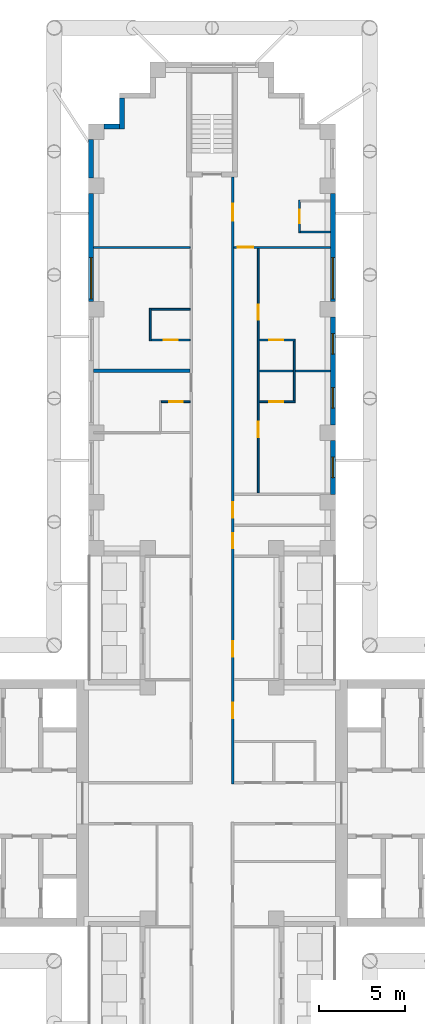
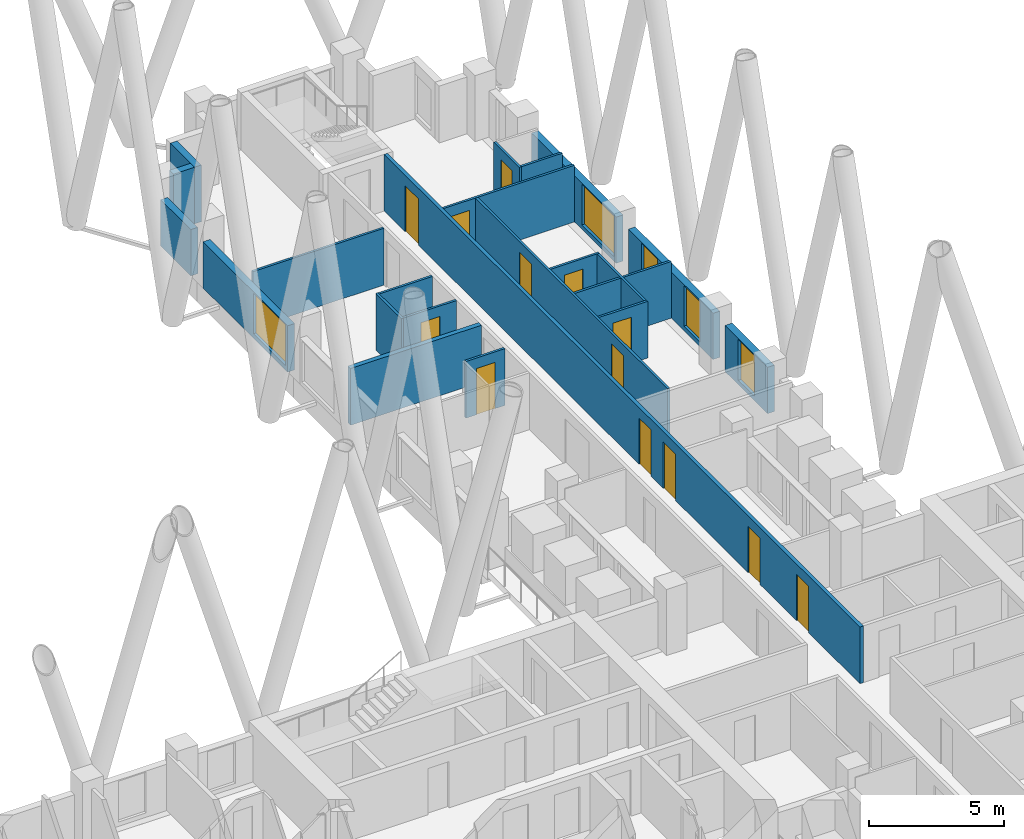
# One storey, part 12 of 16: 22 walls, 13 doors, 5 windows, 18 openings.
"""IFC4 building model written with IfcOpenShell, lengths in metres."""

from ifc_helpers import new_model, si_unit, direction, frame, frame_2d, origin, place, context, subcontext, project, spatial, rectangle, extrude, material, layer, layer_set, type_object, element, fill, save


model = new_model("IFC4")

# Units and contexts
model_context = context("Model", 3, precision=1e-05, world=origin(), true_north=direction((0.0, 1.0)))
body_context = subcontext(model_context, "Body", "Model", "MODEL_VIEW")
ifc_project = project(units=[si_unit("LENGTHUNIT", "METRE"), si_unit("AREAUNIT", "SQUARE_METRE"), si_unit("VOLUMEUNIT", "CUBIC_METRE"), si_unit("PLANEANGLEUNIT", "RADIAN"), si_unit("MASSUNIT", "GRAM", prefix="KILO")], contexts=[model_context])

# Site, building, storey
site_placement = place(None, origin())
site = spatial("IfcSite", under=ifc_project, at=site_placement, CompositionType="ELEMENT")
building_placement = place(site_placement, origin())
building = spatial("IfcBuilding", under=site, at=building_placement, Name="Fustian Cross Tower", CompositionType="ELEMENT")
storey_placement = place(building_placement, frame((0.0, 0.0, 44.699951171875)))
storey = spatial("IfcBuildingStorey", under=building, at=storey_placement, Name="L13", CompositionType="ELEMENT", Elevation=44.699951171875)

# Wall, openings, doors
ifc_material_1 = material(Name="Plasterboard on steel stud", Category="steel")
ifc_layer_1 = layer(ifc_material_1, 0.14990234375)
ifc_layer_set_1 = layer_set([ifc_layer_1], Name="Plasterboard on steel stud")
wall_type_1 = type_object("IfcWallType", Name="COMPARTMENT WALL 150 EI 60", PredefinedType="PARTITIONING", material=ifc_layer_set_1)
wall_1_placement = place(storey_placement, frame((1.199951171875, 1.125, 0.0), z_axis=(0.0, 0.0, 1.0), x_axis=(0.0, 1.0, 0.0)))
wall_1 = element("IfcWall", 1, at=wall_1_placement, inside=storey, type_object=wall_type_1, Name="Partition 51", PredefinedType="PARTITIONING", context=body_context, shape_type="SweptSolid", body=[
    extrude(rectangle(XDim=35.375, YDim=0.14990234375, at=frame_2d((17.6875, 0.0))), origin(), (0.0, 0.0, 1.0), 2.574951171875),
])
opening_1_placement = place(wall_1_placement, frame((3.824951171875, 0.0, 0.0)))
opening_1 = element("IfcOpeningElement", 2, at=opening_1_placement, cuts=wall_1, Name="Opening D08003", PredefinedType="OPENING", context=body_context, shape_type="SweptSolid", body=[
    extrude(rectangle(XDim=0.89990234375, YDim=2.10009765625, at=frame_2d((0.449951171875, 1.050048828125))), frame((0.0, 0.0849609375, 0.0), z_axis=(0.0, -1.0, 0.0), x_axis=(1.0, 0.0, 0.0)), (0.0, 0.0, 1.0), 0.169921875),
])
opening_2_placement = place(wall_1_placement, frame((7.425048828125, 0.0, 0.0)))
opening_2 = element("IfcOpeningElement", 3, at=opening_2_placement, cuts=wall_1, Name="Opening D08026", PredefinedType="OPENING", context=body_context, shape_type="SweptSolid", body=[
    extrude(rectangle(XDim=0.89990234375, YDim=2.10009765625, at=frame_2d((0.449951171875, 1.050048828125))), frame((0.0, 0.0849609375, 0.0), z_axis=(0.0, -1.0, 0.0), x_axis=(1.0, 0.0, 0.0)), (0.0, 0.0, 1.0), 0.169921875),
])
opening_3_placement = place(wall_1_placement, frame((13.72509765625, 0.0, 0.0)))
opening_3 = element("IfcOpeningElement", 4, at=opening_3_placement, cuts=wall_1, Name="Opening D08027", PredefinedType="OPENING", context=body_context, shape_type="SweptSolid", body=[
    extrude(rectangle(XDim=0.89990234375, YDim=2.10009765625, at=frame_2d((0.449951171875, 1.050048828125))), frame((0.0, 0.0849609375, 0.0), z_axis=(0.0, -1.0, 0.0), x_axis=(1.0, 0.0, 0.0)), (0.0, 0.0, 1.0), 0.169921875),
])
opening_4_placement = place(wall_1_placement, frame((15.52490234375, 0.0, 0.0)))
opening_4 = element("IfcOpeningElement", 5, at=opening_4_placement, cuts=wall_1, Name="Opening D08028", PredefinedType="OPENING", context=body_context, shape_type="SweptSolid", body=[
    extrude(rectangle(XDim=0.89990234375, YDim=2.10009765625, at=frame_2d((0.449951171875, 1.050048828125))), frame((0.0, 0.0849609375, 0.0), z_axis=(0.0, -1.0, 0.0), x_axis=(1.0, 0.0, 0.0)), (0.0, 0.0, 1.0), 0.169921875),
])
opening_5_placement = place(wall_1_placement, frame((32.824951171875, 0.0, 0.0)))
opening_5 = element("IfcOpeningElement", 6, at=opening_5_placement, cuts=wall_1, Name="Opening D08030", PredefinedType="OPENING", context=body_context, shape_type="SweptSolid", body=[
    extrude(rectangle(XDim=1.0, YDim=2.10009765625, at=frame_2d((0.5, 1.050048828125))), frame((0.0, 0.0849609375, 0.0), z_axis=(0.0, -1.0, 0.0), x_axis=(1.0, 0.0, 0.0)), (0.0, 0.0, 1.0), 0.169921875),
])
ifc_material_2 = material(Name="Timber fire door set", Category="wood")
door_type_1 = type_object("IfcDoorType", Name="FIRE SWING DOOR 1000 FD30S", OperationType="SINGLE_SWING_LEFT", PredefinedType="DOOR", material=ifc_material_2)
door_1_placement = place(opening_5_placement, frame((1.0, 0.0, 0.0), z_axis=(0.0, 0.0, 1.0), x_axis=(-1.0, 0.0, 0.0)))
door_1 = element("IfcDoor", 7, at=door_1_placement, inside=storey, type_object=door_type_1, Name="Door D08030", OperationType="SINGLE_SWING_RIGHT", OverallHeight=2.10009765625, OverallWidth=1.0, PredefinedType="DOOR", context=body_context, shape_type="SweptSolid", body=[
    extrude(rectangle(XDim=1.0, YDim=2.10009765625, at=frame_2d((0.5, 1.050048828125))), frame((0.0, 0.02490234375, 0.0), z_axis=(0.0, -1.0, 0.0), x_axis=(1.0, 0.0, 0.0)), (0.0, 0.0, 1.0), 0.050048828125),
])
fill(opening_5, door_1)
ifc_material_3 = material(Name="Timber fire door set", Category="wood")
door_type_2 = type_object("IfcDoorType", Name="FIRE SWING DOOR 900 FD30S", OperationType="SINGLE_SWING_LEFT", PredefinedType="DOOR", material=ifc_material_3)
door_2_placement = place(opening_1_placement, frame((0.89990234375, 0.0, 0.0), z_axis=(0.0, 0.0, 1.0), x_axis=(-1.0, 0.0, 0.0)))
door_2 = element("IfcDoor", 8, at=door_2_placement, inside=storey, type_object=door_type_2, Name="Door D08003", OperationType="SINGLE_SWING_RIGHT", OverallHeight=2.10009765625, OverallWidth=0.89990234375, PredefinedType="DOOR", context=body_context, shape_type="SweptSolid", body=[
    extrude(rectangle(XDim=0.89990234375, YDim=2.10009765625, at=frame_2d((0.449951171875, 1.050048828125))), frame((0.0, 0.02490234375, 0.0), z_axis=(0.0, -1.0, 0.0), x_axis=(1.0, 0.0, 0.0)), (0.0, 0.0, 1.0), 0.050048828125),
])
fill(opening_1, door_2)
door_3_placement = place(opening_2_placement, frame((0.89990234375, 0.0, 0.0), z_axis=(0.0, 0.0, 1.0), x_axis=(-1.0, 0.0, 0.0)))
door_3 = element("IfcDoor", 9, at=door_3_placement, inside=storey, type_object=door_type_2, Name="Door D08026", OperationType="SINGLE_SWING_RIGHT", OverallHeight=2.10009765625, OverallWidth=0.89990234375, PredefinedType="DOOR", context=body_context, shape_type="SweptSolid", body=[
    extrude(rectangle(XDim=0.89990234375, YDim=2.10009765625, at=frame_2d((0.449951171875, 1.050048828125))), frame((0.0, 0.02490234375, 0.0), z_axis=(0.0, -1.0, 0.0), x_axis=(1.0, 0.0, 0.0)), (0.0, 0.0, 1.0), 0.050048828125),
])
fill(opening_2, door_3)
door_4_placement = place(opening_3_placement, frame((0.89990234375, 0.0, 0.0), z_axis=(0.0, 0.0, 1.0), x_axis=(-1.0, 0.0, 0.0)))
door_4 = element("IfcDoor", 10, at=door_4_placement, inside=storey, type_object=door_type_2, Name="Door D08027", OperationType="SINGLE_SWING_LEFT", OverallHeight=2.10009765625, OverallWidth=0.89990234375, PredefinedType="DOOR", context=body_context, shape_type="SweptSolid", body=[
    extrude(rectangle(XDim=0.89990234375, YDim=2.10009765625, at=frame_2d((0.449951171875, 1.050048828125))), frame((0.0, 0.02490234375, 0.0), z_axis=(0.0, -1.0, 0.0), x_axis=(1.0, 0.0, 0.0)), (0.0, 0.0, 1.0), 0.050048828125),
])
fill(opening_3, door_4)
door_5_placement = place(opening_4_placement, origin())
door_5 = element("IfcDoor", 11, at=door_5_placement, inside=storey, type_object=door_type_2, Name="Door D08028", OperationType="SINGLE_SWING_LEFT", OverallHeight=2.10009765625, OverallWidth=0.89990234375, PredefinedType="DOOR", context=body_context, shape_type="SweptSolid", body=[
    extrude(rectangle(XDim=0.89990234375, YDim=2.10009765625, at=frame_2d((0.449951171875, 1.050048828125))), frame((0.0, 0.02490234375, 0.0), z_axis=(0.0, -1.0, 0.0), x_axis=(1.0, 0.0, 0.0)), (0.0, 0.0, 1.0), 0.050048828125),
])
fill(opening_4, door_5)

# Walls
ifc_material_4 = material(Name="Plasterboard on steel stud", Category="steel")
ifc_layer_2 = layer(ifc_material_4, 0.10009765625)
ifc_layer_set_2 = layer_set([ifc_layer_2], Name="Plasterboard on steel stud")
wall_type_2 = type_object("IfcWallType", Name="PARTITION 100 STUD", PredefinedType="PARTITIONING", material=ifc_layer_set_2)
wall_2_placement = place(storey_placement, frame((-6.89990234375, 32.39990234375, 0.0), z_axis=(0.0, 0.0, 1.0), x_axis=(1.0, 0.0, 0.0)))
element("IfcWall", 12, at=wall_2_placement, inside=storey, type_object=wall_type_2, Name="Partition 25", PredefinedType="PARTITIONING", context=body_context, shape_type="SweptSolid", body=[
    extrude(rectangle(XDim=5.625, YDim=0.10009765625, at=frame_2d((2.8125, 0.0))), origin(), (0.0, 0.0, 1.0), 2.574951171875),
])
wall_3_placement = place(storey_placement, frame((-3.60009765625, 26.949951171875, 0.0), z_axis=(0.0, 0.0, 1.0), x_axis=(0.0, 1.0, 0.0)))
element("IfcWall", 13, at=wall_3_placement, inside=storey, type_object=wall_type_2, Name="Partition 34", PredefinedType="PARTITIONING", context=body_context, shape_type="SweptSolid", body=[
    extrude(rectangle(XDim=1.900146484375, YDim=0.10009765625, at=frame_2d((0.9501953125, 0.0))), origin(), (0.0, 0.0, 1.0), 2.574951171875),
])

# Wall, opening, door
wall_4_placement = place(storey_placement, frame((-3.550048828125, 27.0, 0.0), z_axis=(0.0, 0.0, 1.0), x_axis=(1.0, 0.0, 0.0)))
wall_4 = element("IfcWall", 14, at=wall_4_placement, inside=storey, type_object=wall_type_2, Name="Partition 35", PredefinedType="PARTITIONING", context=body_context, shape_type="SweptSolid", body=[
    extrude(rectangle(XDim=2.275146484375, YDim=0.10009765625, at=frame_2d((1.1376953125, 0.0))), origin(), (0.0, 0.0, 1.0), 2.574951171875),
])
opening_6_placement = place(wall_4_placement, frame((0.75, 0.0, 0.0)))
opening_6 = element("IfcOpeningElement", 15, at=opening_6_placement, cuts=wall_4, Name="Opening D08023", PredefinedType="OPENING", context=body_context, shape_type="SweptSolid", body=[
    extrude(rectangle(XDim=0.800048828125, YDim=2.10009765625, at=frame_2d((0.39990234375, 1.050048828125))), frame((0.0, 0.06005859375, 0.0), z_axis=(0.0, -1.0, 0.0), x_axis=(1.0, 0.0, 0.0)), (0.0, 0.0, 1.0), 0.1201171875),
])
ifc_material_5 = material(Name="Painted timber", Category="wood")
door_type_3 = type_object("IfcDoorType", Name="SWING DOOR 800", OperationType="SINGLE_SWING_LEFT", PredefinedType="DOOR", material=ifc_material_5)
door_6_placement = place(opening_6_placement, origin())
door_6 = element("IfcDoor", 16, at=door_6_placement, inside=storey, type_object=door_type_3, Name="Door D08023", OperationType="SINGLE_SWING_LEFT", OverallHeight=2.10009765625, OverallWidth=0.800048828125, PredefinedType="DOOR", context=body_context, shape_type="SweptSolid", body=[
    extrude(rectangle(XDim=0.800048828125, YDim=2.10009765625, at=frame_2d((0.39990234375, 1.050048828125))), frame((0.0, 0.02490234375, 0.0), z_axis=(0.0, -1.0, 0.0), x_axis=(1.0, 0.0, 0.0)), (0.0, 0.0, 1.0), 0.050048828125),
])
fill(opening_6, door_6)

# Wall
wall_5_placement = place(storey_placement, frame((-3.550048828125, 28.800048828125, 0.0), z_axis=(0.0, 0.0, 1.0), x_axis=(1.0, 0.0, 0.0)))
element("IfcWall", 17, at=wall_5_placement, inside=storey, type_object=wall_type_2, Name="Partition 36", PredefinedType="PARTITIONING", context=body_context, shape_type="SweptSolid", body=[
    extrude(rectangle(XDim=2.275146484375, YDim=0.10009765625, at=frame_2d((1.1376953125, 0.0))), origin(), (0.0, 0.0, 1.0), 2.574951171875),
])

# Wall, opening, door
wall_6_placement = place(storey_placement, frame((-2.949951171875, 23.39990234375, 0.0), z_axis=(0.0, 0.0, 1.0), x_axis=(1.0, 0.0, 0.0)))
wall_6 = element("IfcWall", 18, at=wall_6_placement, inside=storey, type_object=wall_type_2, Name="Partition 40", PredefinedType="PARTITIONING", context=body_context, shape_type="SweptSolid", body=[
    extrude(rectangle(XDim=1.675048828125, YDim=0.10009765625, at=frame_2d((0.83740234375, 0.0))), origin(), (0.0, 0.0, 1.0), 2.574951171875),
])
opening_7_placement = place(wall_6_placement, frame((0.449951171875, 0.0, 0.0)))
opening_7 = element("IfcOpeningElement", 19, at=opening_7_placement, cuts=wall_6, Name="Opening D08021", PredefinedType="OPENING", context=body_context, shape_type="SweptSolid", body=[
    extrude(rectangle(XDim=0.800048828125, YDim=2.10009765625, at=frame_2d((0.39990234375, 1.050048828125))), frame((0.0, 0.06005859375, 0.0), z_axis=(0.0, -1.0, 0.0), x_axis=(1.0, 0.0, 0.0)), (0.0, 0.0, 1.0), 0.1201171875),
])
door_7_placement = place(opening_7_placement, frame((0.800048828125, 0.0, 0.0), z_axis=(0.0, 0.0, 1.0), x_axis=(-1.0, 0.0, 0.0)))
door_7 = element("IfcDoor", 20, at=door_7_placement, inside=storey, type_object=door_type_3, Name="Door D08021", OperationType="SINGLE_SWING_LEFT", OverallHeight=2.10009765625, OverallWidth=0.800048828125, PredefinedType="DOOR", context=body_context, shape_type="SweptSolid", body=[
    extrude(rectangle(XDim=0.800048828125, YDim=2.10009765625, at=frame_2d((0.39990234375, 1.050048828125))), frame((0.0, 0.02490234375, 0.0), z_axis=(0.0, -1.0, 0.0), x_axis=(1.0, 0.0, 0.0)), (0.0, 0.0, 1.0), 0.050048828125),
])
fill(opening_7, door_7)

wall_7_placement = place(storey_placement, frame((1.27490234375, 32.39990234375, 0.0), z_axis=(0.0, 0.0, 1.0), x_axis=(1.0, 0.0, 0.0)))
wall_7 = element("IfcWall", 21, at=wall_7_placement, inside=storey, type_object=wall_type_2, Name="Partition 58", PredefinedType="PARTITIONING", context=body_context, shape_type="SweptSolid", body=[
    extrude(rectangle(XDim=5.625, YDim=0.10009765625, at=frame_2d((2.8125, 0.0))), origin(), (0.0, 0.0, 1.0), 2.574951171875),
])
opening_8_placement = place(wall_7_placement, frame((0.22509765625, 0.0, 0.0)))
opening_8 = element("IfcOpeningElement", 22, at=opening_8_placement, cuts=wall_7, Name="Opening D08031", PredefinedType="OPENING", context=body_context, shape_type="SweptSolid", body=[
    extrude(rectangle(XDim=0.89990234375, YDim=2.10009765625, at=frame_2d((0.449951171875, 1.050048828125))), frame((0.0, 0.06005859375, 0.0), z_axis=(0.0, -1.0, 0.0), x_axis=(1.0, 0.0, 0.0)), (0.0, 0.0, 1.0), 0.1201171875),
])
ifc_material_6 = material(Name="Painted timber", Category="wood")
door_type_4 = type_object("IfcDoorType", Name="SWING DOOR 900", OperationType="SINGLE_SWING_LEFT", PredefinedType="DOOR", material=ifc_material_6)
door_8_placement = place(opening_8_placement, frame((0.89990234375, 0.0, 0.0), z_axis=(0.0, 0.0, 1.0), x_axis=(-1.0, 0.0, 0.0)))
door_8 = element("IfcDoor", 23, at=door_8_placement, inside=storey, type_object=door_type_4, Name="Door D08031", OperationType="SINGLE_SWING_RIGHT", OverallHeight=2.10009765625, OverallWidth=0.89990234375, PredefinedType="DOOR", context=body_context, shape_type="SweptSolid", body=[
    extrude(rectangle(XDim=0.89990234375, YDim=2.10009765625, at=frame_2d((0.449951171875, 1.050048828125))), frame((0.0, 0.02490234375, 0.0), z_axis=(0.0, -1.0, 0.0), x_axis=(1.0, 0.0, 0.0)), (0.0, 0.0, 1.0), 0.050048828125),
])
fill(opening_8, door_8)

# Wall, openings, doors
wall_8_placement = place(storey_placement, frame((2.699951171875, 18.074951171875, 0.0), z_axis=(0.0, 0.0, 1.0), x_axis=(0.0, 1.0, 0.0)))
wall_8 = element("IfcWall", 24, at=wall_8_placement, inside=storey, type_object=wall_type_2, Name="Partition 63", PredefinedType="PARTITIONING", context=body_context, shape_type="SweptSolid", body=[
    extrude(rectangle(XDim=14.275146484375, YDim=0.10009765625, at=frame_2d((7.1376953125, 0.0))), origin(), (0.0, 0.0, 1.0), 2.574951171875),
])
opening_9_placement = place(wall_8_placement, frame((3.255126953125, 0.0, 0.0)))
opening_9 = element("IfcOpeningElement", 25, at=opening_9_placement, cuts=wall_8, Name="Opening D08032", PredefinedType="OPENING", context=body_context, shape_type="SweptSolid", body=[
    extrude(rectangle(XDim=0.89990234375, YDim=2.10009765625, at=frame_2d((0.449951171875, 1.050048828125))), frame((0.0, 0.06005859375, 0.0), z_axis=(0.0, -1.0, 0.0), x_axis=(1.0, 0.0, 0.0)), (0.0, 0.0, 1.0), 0.1201171875),
])
opening_10_placement = place(wall_8_placement, frame((10.094970703125, 0.0, 0.0)))
opening_10 = element("IfcOpeningElement", 26, at=opening_10_placement, cuts=wall_8, Name="Opening D08033", PredefinedType="OPENING", context=body_context, shape_type="SweptSolid", body=[
    extrude(rectangle(XDim=0.89990234375, YDim=2.10009765625, at=frame_2d((0.449951171875, 1.050048828125))), frame((0.0, 0.06005859375, 0.0), z_axis=(0.0, -1.0, 0.0), x_axis=(1.0, 0.0, 0.0)), (0.0, 0.0, 1.0), 0.1201171875),
])
door_9_placement = place(opening_9_placement, origin())
door_9 = element("IfcDoor", 27, at=door_9_placement, inside=storey, type_object=door_type_4, Name="Door D08032", OperationType="SINGLE_SWING_LEFT", OverallHeight=2.10009765625, OverallWidth=0.89990234375, PredefinedType="DOOR", context=body_context, shape_type="SweptSolid", body=[
    extrude(rectangle(XDim=0.89990234375, YDim=2.10009765625, at=frame_2d((0.449951171875, 1.050048828125))), frame((0.0, 0.02490234375, 0.0), z_axis=(0.0, -1.0, 0.0), x_axis=(1.0, 0.0, 0.0)), (0.0, 0.0, 1.0), 0.050048828125),
])
fill(opening_9, door_9)
door_10_placement = place(opening_10_placement, origin())
door_10 = element("IfcDoor", 28, at=door_10_placement, inside=storey, type_object=door_type_4, Name="Door D08033", OperationType="SINGLE_SWING_RIGHT", OverallHeight=2.10009765625, OverallWidth=0.89990234375, PredefinedType="DOOR", context=body_context, shape_type="SweptSolid", body=[
    extrude(rectangle(XDim=0.89990234375, YDim=2.10009765625, at=frame_2d((0.449951171875, 1.050048828125))), frame((0.0, 0.02490234375, 0.0), z_axis=(0.0, -1.0, 0.0), x_axis=(1.0, 0.0, 0.0)), (0.0, 0.0, 1.0), 0.050048828125),
])
fill(opening_10, door_10)

# Wall, opening, door
wall_9_placement = place(storey_placement, frame((2.75, 23.39990234375, 0.0), z_axis=(0.0, 0.0, 1.0), x_axis=(1.0, 0.0, 0.0)))
wall_9 = element("IfcWall", 29, at=wall_9_placement, inside=storey, type_object=wall_type_2, Name="Partition 64", PredefinedType="PARTITIONING", context=body_context, shape_type="SweptSolid", body=[
    extrude(rectangle(XDim=2.10009765625, YDim=0.10009765625, at=frame_2d((1.050048828125, 0.0))), origin(), (0.0, 0.0, 1.0), 2.574951171875),
])
opening_11_placement = place(wall_9_placement, frame((0.60009765625, 0.0, 0.0)))
opening_11 = element("IfcOpeningElement", 30, at=opening_11_placement, cuts=wall_9, Name="Opening D08034", PredefinedType="OPENING", context=body_context, shape_type="SweptSolid", body=[
    extrude(rectangle(XDim=0.800048828125, YDim=2.10009765625, at=frame_2d((0.39990234375, 1.050048828125))), frame((0.0, 0.06005859375, 0.0), z_axis=(0.0, -1.0, 0.0), x_axis=(1.0, 0.0, 0.0)), (0.0, 0.0, 1.0), 0.1201171875),
])
door_11_placement = place(opening_11_placement, origin())
door_11 = element("IfcDoor", 31, at=door_11_placement, inside=storey, type_object=door_type_3, Name="Door D08034", OperationType="SINGLE_SWING_LEFT", OverallHeight=2.10009765625, OverallWidth=0.800048828125, PredefinedType="DOOR", context=body_context, shape_type="SweptSolid", body=[
    extrude(rectangle(XDim=0.800048828125, YDim=2.10009765625, at=frame_2d((0.39990234375, 1.050048828125))), frame((0.0, 0.02490234375, 0.0), z_axis=(0.0, -1.0, 0.0), x_axis=(1.0, 0.0, 0.0)), (0.0, 0.0, 1.0), 0.050048828125),
])
fill(opening_11, door_11)

# Wall
wall_10_placement = place(storey_placement, frame((2.75, 25.199951171875, 0.0), z_axis=(0.0, 0.0, 1.0), x_axis=(1.0, 0.0, 0.0)))
element("IfcWall", 32, at=wall_10_placement, inside=storey, type_object=wall_type_2, Name="Partition 65", PredefinedType="PARTITIONING", context=body_context, shape_type="SweptSolid", body=[
    extrude(rectangle(XDim=4.14990234375, YDim=0.10009765625, at=frame_2d((2.074951171875, 0.0))), origin(), (0.0, 0.0, 1.0), 2.574951171875),
])

# Wall, opening, door
wall_11_placement = place(storey_placement, frame((2.75, 27.0, 0.0), z_axis=(0.0, 0.0, 1.0), x_axis=(1.0, 0.0, 0.0)))
wall_11 = element("IfcWall", 33, at=wall_11_placement, inside=storey, type_object=wall_type_2, Name="Partition 66", PredefinedType="PARTITIONING", context=body_context, shape_type="SweptSolid", body=[
    extrude(rectangle(XDim=2.10009765625, YDim=0.10009765625, at=frame_2d((1.050048828125, 0.0))), origin(), (0.0, 0.0, 1.0), 2.574951171875),
])
opening_12_placement = place(wall_11_placement, frame((0.60009765625, 0.0, 0.0)))
opening_12 = element("IfcOpeningElement", 34, at=opening_12_placement, cuts=wall_11, Name="Opening D08035", PredefinedType="OPENING", context=body_context, shape_type="SweptSolid", body=[
    extrude(rectangle(XDim=0.800048828125, YDim=2.10009765625, at=frame_2d((0.39990234375, 1.050048828125))), frame((0.0, 0.06005859375, 0.0), z_axis=(0.0, -1.0, 0.0), x_axis=(1.0, 0.0, 0.0)), (0.0, 0.0, 1.0), 0.1201171875),
])
door_12_placement = place(opening_12_placement, frame((0.800048828125, 0.0, 0.0), z_axis=(0.0, 0.0, 1.0), x_axis=(-1.0, 0.0, 0.0)))
door_12 = element("IfcDoor", 35, at=door_12_placement, inside=storey, type_object=door_type_3, Name="Door D08035", OperationType="SINGLE_SWING_RIGHT", OverallHeight=2.10009765625, OverallWidth=0.800048828125, PredefinedType="DOOR", context=body_context, shape_type="SweptSolid", body=[
    extrude(rectangle(XDim=0.800048828125, YDim=2.10009765625, at=frame_2d((0.39990234375, 1.050048828125))), frame((0.0, 0.02490234375, 0.0), z_axis=(0.0, -1.0, 0.0), x_axis=(1.0, 0.0, 0.0)), (0.0, 0.0, 1.0), 0.050048828125),
])
fill(opening_12, door_12)

# Wall
wall_12_placement = place(storey_placement, frame((4.800048828125, 23.449951171875, 0.0), z_axis=(0.0, 0.0, 1.0), x_axis=(0.0, 1.0, 0.0)))
element("IfcWall", 36, at=wall_12_placement, inside=storey, type_object=wall_type_2, Name="Partition 69", PredefinedType="PARTITIONING", context=body_context, shape_type="SweptSolid", body=[
    extrude(rectangle(XDim=3.5, YDim=0.10009765625, at=frame_2d((1.75, 0.0))), origin(), (0.0, 0.0, 1.0), 2.574951171875),
])

# Wall, opening, door
wall_13_placement = place(storey_placement, frame((5.10009765625, 33.25, 0.0), z_axis=(0.0, 0.0, 1.0), x_axis=(0.0, 1.0, 0.0)))
wall_13 = element("IfcWall", 37, at=wall_13_placement, inside=storey, type_object=wall_type_2, Name="Partition 73", PredefinedType="PARTITIONING", context=body_context, shape_type="SweptSolid", body=[
    extrude(rectangle(XDim=1.89990234375, YDim=0.10009765625, at=frame_2d((0.949951171875, 0.0))), origin(), (0.0, 0.0, 1.0), 2.574951171875),
])
opening_13_placement = place(wall_13_placement, frame((0.550048828125, 0.0, 0.0)))
opening_13 = element("IfcOpeningElement", 38, at=opening_13_placement, cuts=wall_13, Name="Opening D08029", PredefinedType="OPENING", context=body_context, shape_type="SweptSolid", body=[
    extrude(rectangle(XDim=0.800048828125, YDim=2.10009765625, at=frame_2d((0.39990234375, 1.050048828125))), frame((0.0, 0.06005859375, 0.0), z_axis=(0.0, -1.0, 0.0), x_axis=(1.0, 0.0, 0.0)), (0.0, 0.0, 1.0), 0.1201171875),
])
door_13_placement = place(opening_13_placement, frame((0.800048828125, 0.0, 0.0), z_axis=(0.0, 0.0, 1.0), x_axis=(-1.0, 0.0, 0.0)))
door_13 = element("IfcDoor", 39, at=door_13_placement, inside=storey, type_object=door_type_3, Name="Door D08029", OperationType="SINGLE_SWING_LEFT", OverallHeight=2.10009765625, OverallWidth=0.800048828125, PredefinedType="DOOR", context=body_context, shape_type="SweptSolid", body=[
    extrude(rectangle(XDim=0.800048828125, YDim=2.10009765625, at=frame_2d((0.39990234375, 1.050048828125))), frame((0.0, 0.02490234375, 0.0), z_axis=(0.0, -1.0, 0.0), x_axis=(1.0, 0.0, 0.0)), (0.0, 0.0, 1.0), 0.050048828125),
])
fill(opening_13, door_13)

# Walls
wall_14_placement = place(storey_placement, frame((5.14990234375, 33.300048828125, 0.0), z_axis=(0.0, 0.0, 1.0), x_axis=(1.0, 0.0, 0.0)))
element("IfcWall", 40, at=wall_14_placement, inside=storey, type_object=wall_type_2, Name="Partition 74", PredefinedType="PARTITIONING", context=body_context, shape_type="SweptSolid", body=[
    extrude(rectangle(XDim=1.75, YDim=0.10009765625, at=frame_2d((0.875, 0.0))), origin(), (0.0, 0.0, 1.0), 2.574951171875),
])
ifc_material_7 = material(Name="Plasterboard on steel stud", Category="steel")
ifc_layer_3 = layer(ifc_material_7, 0.199951171875)
ifc_layer_set_3 = layer_set([ifc_layer_3], Name="Plasterboard on steel stud")
wall_type_3 = type_object("IfcWallType", Name="PARTY WALL 200 EI 60", PredefinedType="PARTITIONING", material=ifc_layer_set_3)
wall_15_placement = place(storey_placement, frame((-6.89990234375, 25.199951171875, 0.0), z_axis=(0.0, 0.0, 1.0), x_axis=(1.0, 0.0, 0.0)))
element("IfcWall", 41, at=wall_15_placement, inside=storey, type_object=wall_type_3, Name="Partition 24", PredefinedType="PARTITIONING", context=body_context, shape_type="SweptSolid", body=[
    extrude(rectangle(XDim=5.625, YDim=0.199951171875, at=frame_2d((2.8125, 0.0))), origin(), (0.0, 0.0, 1.0), 2.574951171875),
])

# Wall, opening, window
ifc_material_8 = material(Name="Dark aluminium cladding on insulated backing wall", Category="aluminium")
ifc_layer_4 = layer(ifc_material_8, 0.300048828125)
ifc_layer_set_4 = layer_set([ifc_layer_4], Name="Dark aluminium cladding on insulated backing wall")
wall_type_4 = type_object("IfcWallType", Name="XW1 EXTERNAL WALL 300", PredefinedType="SOLIDWALL", material=ifc_layer_set_4)
wall_16_placement = place(storey_placement, frame((7.050048828125, 18.0, 0.0), z_axis=(0.0, 0.0, 1.0), x_axis=(0.0, 1.0, 0.0)))
wall_16 = element("IfcWall", 42, at=wall_16_placement, inside=storey, type_object=wall_type_4, Name="External wall", PredefinedType="SOLIDWALL", context=body_context, shape_type="SweptSolid", body=[
    extrude(rectangle(XDim=3.14990234375, YDim=0.300048828125, at=frame_2d((1.574951171875, 0.0))), origin(), (0.0, 0.0, 1.0), 2.10009765625),
])
opening_14_placement = place(wall_16_placement, frame((0.97509765625, 0.0, 0.199951171875)))
opening_14 = element("IfcOpeningElement", 43, at=opening_14_placement, cuts=wall_16, Name="Opening WN3", PredefinedType="OPENING", context=body_context, shape_type="SweptSolid", body=[
    extrude(rectangle(XDim=1.199951171875, YDim=1.85009765625, at=frame_2d((0.60009765625, 0.925048828125))), frame((0.0, 0.159912109375, 0.0), z_axis=(0.0, -1.0, 0.0), x_axis=(1.0, 0.0, 0.0)), (0.0, 0.0, 1.0), 0.320068359375),
])
ifc_material_9 = material(Name="Dark anodised aluminium and double glazing", Category="aluminium")
window_type_1 = type_object("IfcWindowType", Name="WN3 WINDOW 1200X1850", PartitioningType="SINGLE_PANEL", PredefinedType="WINDOW", material=ifc_material_9)
window_1_placement = place(opening_14_placement, origin())
window_1 = element("IfcWindow", 44, at=window_1_placement, inside=storey, type_object=window_type_1, Name="Window", OverallHeight=1.85009765625, OverallWidth=1.199951171875, PartitioningType="SINGLE_PANEL", PredefinedType="WINDOW", context=body_context, shape_type="SweptSolid", body=[
    extrude(rectangle(XDim=1.199951171875, YDim=1.85009765625, at=frame_2d((0.60009765625, 0.925048828125))), frame((0.0, 0.030029296875, 0.0), z_axis=(0.0, -1.0, 0.0), x_axis=(1.0, 0.0, 0.0)), (0.0, 0.0, 1.0), 0.06005859375),
])
fill(opening_14, window_1)

# Wall, openings, windows
wall_17_placement = place(storey_placement, frame((7.050048828125, 22.050048828125, 0.0), z_axis=(0.0, 0.0, 1.0), x_axis=(0.0, 1.0, 0.0)))
wall_17 = element("IfcWall", 45, at=wall_17_placement, inside=storey, type_object=wall_type_4, Name="External wall", PredefinedType="SOLIDWALL", context=body_context, shape_type="SweptSolid", body=[
    extrude(rectangle(XDim=6.300048828125, YDim=0.300048828125, at=frame_2d((3.14990234375, 0.0))), origin(), (0.0, 0.0, 1.0), 2.10009765625),
])
opening_15_placement = place(wall_17_placement, frame((0.97509765625, 0.0, 0.199951171875)))
opening_15 = element("IfcOpeningElement", 46, at=opening_15_placement, cuts=wall_17, Name="Opening WN3", PredefinedType="OPENING", context=body_context, shape_type="SweptSolid", body=[
    extrude(rectangle(XDim=1.199951171875, YDim=1.85009765625, at=frame_2d((0.60009765625, 0.925048828125))), frame((0.0, 0.159912109375, 0.0), z_axis=(0.0, -1.0, 0.0), x_axis=(1.0, 0.0, 0.0)), (0.0, 0.0, 1.0), 0.320068359375),
])
opening_16_placement = place(wall_17_placement, frame((4.125, 0.0, 0.199951171875)))
opening_16 = element("IfcOpeningElement", 47, at=opening_16_placement, cuts=wall_17, Name="Opening WN3", PredefinedType="OPENING", context=body_context, shape_type="SweptSolid", body=[
    extrude(rectangle(XDim=1.199951171875, YDim=1.85009765625, at=frame_2d((0.60009765625, 0.925048828125))), frame((0.0, 0.159912109375, 0.0), z_axis=(0.0, -1.0, 0.0), x_axis=(1.0, 0.0, 0.0)), (0.0, 0.0, 1.0), 0.320068359375),
])
window_2_placement = place(opening_15_placement, origin())
window_2 = element("IfcWindow", 48, at=window_2_placement, inside=storey, type_object=window_type_1, Name="Window", OverallHeight=1.85009765625, OverallWidth=1.199951171875, PartitioningType="SINGLE_PANEL", PredefinedType="WINDOW", context=body_context, shape_type="SweptSolid", body=[
    extrude(rectangle(XDim=1.199951171875, YDim=1.85009765625, at=frame_2d((0.60009765625, 0.925048828125))), frame((0.0, 0.030029296875, 0.0), z_axis=(0.0, -1.0, 0.0), x_axis=(1.0, 0.0, 0.0)), (0.0, 0.0, 1.0), 0.06005859375),
])
fill(opening_15, window_2)
window_3_placement = place(opening_16_placement, origin())
window_3 = element("IfcWindow", 49, at=window_3_placement, inside=storey, type_object=window_type_1, Name="Window", OverallHeight=1.85009765625, OverallWidth=1.199951171875, PartitioningType="SINGLE_PANEL", PredefinedType="WINDOW", context=body_context, shape_type="SweptSolid", body=[
    extrude(rectangle(XDim=1.199951171875, YDim=1.85009765625, at=frame_2d((0.60009765625, 0.925048828125))), frame((0.0, 0.030029296875, 0.0), z_axis=(0.0, -1.0, 0.0), x_axis=(1.0, 0.0, 0.0)), (0.0, 0.0, 1.0), 0.06005859375),
])
fill(opening_16, window_3)

# Wall, opening, window
wall_18_placement = place(storey_placement, frame((7.050048828125, 29.25, 0.0), z_axis=(0.0, 0.0, 1.0), x_axis=(0.0, 1.0, 0.0)))
wall_18 = element("IfcWall", 50, at=wall_18_placement, inside=storey, type_object=wall_type_4, Name="External wall", PredefinedType="SOLIDWALL", context=body_context, shape_type="SweptSolid", body=[
    extrude(rectangle(XDim=6.300048828125, YDim=0.300048828125, at=frame_2d((3.14990234375, 0.0))), origin(), (0.0, 0.0, 1.0), 2.10009765625),
])
opening_17_placement = place(wall_18_placement, frame((0.14990234375, 0.0, 0.199951171875)))
opening_17 = element("IfcOpeningElement", 51, at=opening_17_placement, cuts=wall_18, Name="Opening WN1", PredefinedType="OPENING", context=body_context, shape_type="SweptSolid", body=[
    extrude(rectangle(XDim=2.39990234375, YDim=1.85009765625, at=frame_2d((1.199951171875, 0.925048828125))), frame((0.0, 0.159912109375, 0.0), z_axis=(0.0, -1.0, 0.0), x_axis=(1.0, 0.0, 0.0)), (0.0, 0.0, 1.0), 0.320068359375),
])
ifc_material_10 = material(Name="Dark anodised aluminium and double glazing", Category="aluminium")
window_type_2 = type_object("IfcWindowType", Name="WN1 WINDOW 2400X1850", PartitioningType="SINGLE_PANEL", PredefinedType="WINDOW", material=ifc_material_10)
window_4_placement = place(opening_17_placement, origin())
window_4 = element("IfcWindow", 52, at=window_4_placement, inside=storey, type_object=window_type_2, Name="Window", OverallHeight=1.85009765625, OverallWidth=2.39990234375, PartitioningType="SINGLE_PANEL", PredefinedType="WINDOW", context=body_context, shape_type="SweptSolid", body=[
    extrude(rectangle(XDim=2.39990234375, YDim=1.85009765625, at=frame_2d((1.199951171875, 0.925048828125))), frame((0.0, 0.030029296875, 0.0), z_axis=(0.0, -1.0, 0.0), x_axis=(1.0, 0.0, 0.0)), (0.0, 0.0, 1.0), 0.06005859375),
])
fill(opening_17, window_4)

# Walls
wall_19_placement = place(storey_placement, frame((-5.25, 41.10009765625, 0.0), z_axis=(0.0, 0.0, 1.0), x_axis=(0.0, -1.0, 0.0)))
element("IfcWall", 53, at=wall_19_placement, inside=storey, type_object=wall_type_4, Name="External wall", PredefinedType="SOLIDWALL", context=body_context, shape_type="SweptSolid", body=[
    extrude(rectangle(XDim=1.800048828125, YDim=0.300048828125, at=frame_2d((0.89990234375, 0.0))), origin(), (0.0, 0.0, 1.0), 2.574951171875),
])
wall_20_placement = place(storey_placement, frame((-5.39990234375, 39.449951171875, 0.0), z_axis=(0.0, 0.0, 1.0), x_axis=(-1.0, 0.0, 0.0)))
element("IfcWall", 54, at=wall_20_placement, inside=storey, type_object=wall_type_4, Name="External wall", PredefinedType="SOLIDWALL", context=body_context, shape_type="SweptSolid", body=[
    extrude(rectangle(XDim=0.900146484375, YDim=0.300048828125, at=frame_2d((0.4501953125, 0.0))), origin(), (0.0, 0.0, 1.0), 2.574951171875),
])
wall_21_placement = place(storey_placement, frame((-7.050048828125, 38.699951171875, 0.0), z_axis=(0.0, 0.0, 1.0), x_axis=(0.0, -1.0, 0.0)))
element("IfcWall", 55, at=wall_21_placement, inside=storey, type_object=wall_type_4, Name="External wall", PredefinedType="SOLIDWALL", context=body_context, shape_type="SweptSolid", body=[
    extrude(rectangle(XDim=2.25, YDim=0.300048828125, at=frame_2d((1.125, 0.0))), origin(), (0.0, 0.0, 1.0), 2.10009765625),
])

# Wall, opening, window
wall_22_placement = place(storey_placement, frame((-7.050048828125, 35.550048828125, 0.0), z_axis=(0.0, 0.0, 1.0), x_axis=(0.0, -1.0, 0.0)))
wall_22 = element("IfcWall", 56, at=wall_22_placement, inside=storey, type_object=wall_type_4, Name="External wall", PredefinedType="SOLIDWALL", context=body_context, shape_type="SweptSolid", body=[
    extrude(rectangle(XDim=6.300048828125, YDim=0.300048828125, at=frame_2d((3.14990234375, 0.0))), origin(), (0.0, 0.0, 1.0), 2.10009765625),
])
opening_18_placement = place(wall_22_placement, frame((3.75, 0.0, 0.199951171875)))
opening_18 = element("IfcOpeningElement", 57, at=opening_18_placement, cuts=wall_22, Name="Opening WN1", PredefinedType="OPENING", context=body_context, shape_type="SweptSolid", body=[
    extrude(rectangle(XDim=2.39990234375, YDim=1.85009765625, at=frame_2d((1.199951171875, 0.925048828125))), frame((0.0, 0.159912109375, 0.0), z_axis=(0.0, -1.0, 0.0), x_axis=(1.0, 0.0, 0.0)), (0.0, 0.0, 1.0), 0.320068359375),
])
window_5_placement = place(opening_18_placement, origin())
window_5 = element("IfcWindow", 58, at=window_5_placement, inside=storey, type_object=window_type_2, Name="Window", OverallHeight=1.85009765625, OverallWidth=2.39990234375, PartitioningType="SINGLE_PANEL", PredefinedType="WINDOW", context=body_context, shape_type="SweptSolid", body=[
    extrude(rectangle(XDim=2.39990234375, YDim=1.85009765625, at=frame_2d((1.199951171875, 0.925048828125))), frame((0.0, 0.030029296875, 0.0), z_axis=(0.0, -1.0, 0.0), x_axis=(1.0, 0.0, 0.0)), (0.0, 0.0, 1.0), 0.06005859375),
])
fill(opening_18, window_5)

save(model, "model.ifc")
